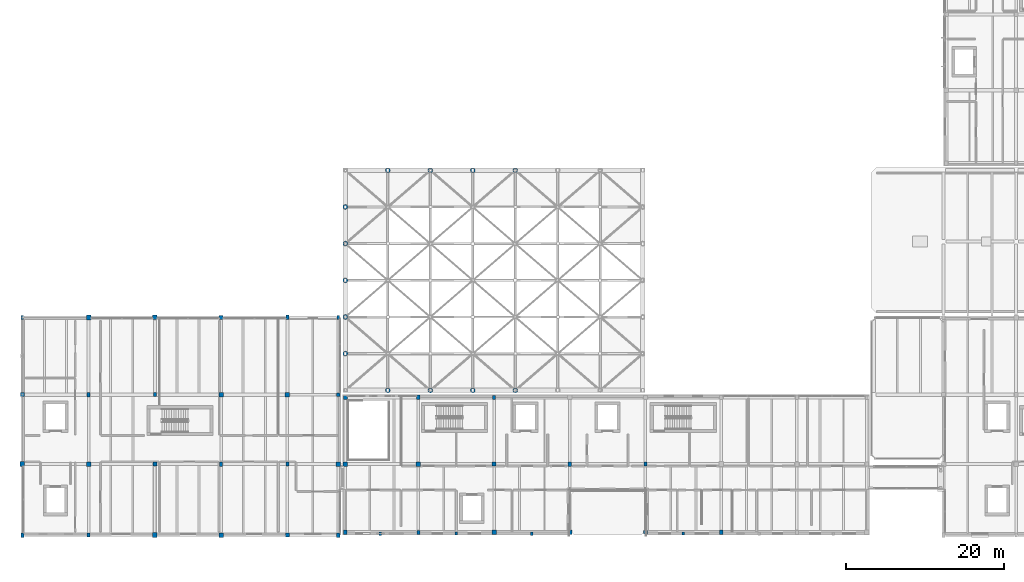
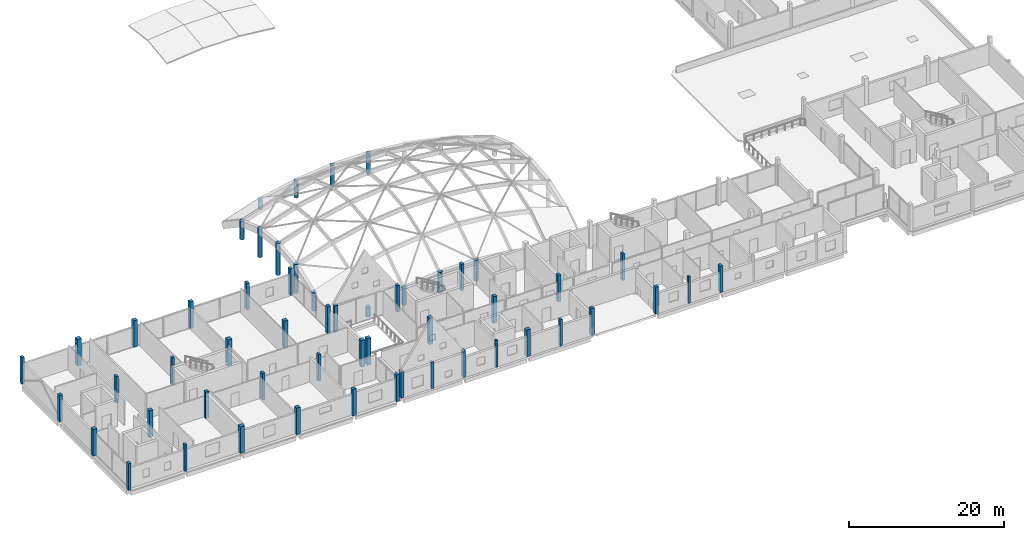
# One storey, part 1 of 41: 55 columns.
"""IFC4 building model written with IfcOpenShell, lengths in metres."""

from ifc_helpers import new_model, si_unit, direction, frame, origin, origin_2d, place, context, subcontext, project, spatial, rectangle, circle, extrude, material, material_profile, profile_set, type_object, element, save


model = new_model("IFC4")

# Units and contexts
model_context = context("Model", 3, precision=1e-05, world=origin(), true_north=direction((0.0, 1.0)))
body_context = subcontext(model_context, "Body", "Model", "MODEL_VIEW")
ifc_project = project(units=[si_unit("LENGTHUNIT", "METRE"), si_unit("AREAUNIT", "SQUARE_METRE"), si_unit("VOLUMEUNIT", "CUBIC_METRE"), si_unit("PLANEANGLEUNIT", "RADIAN"), si_unit("MASSUNIT", "GRAM", prefix="KILO")], contexts=[model_context])

# Site, building, storey
site_placement = place(None, origin())
site = spatial("IfcSite", under=ifc_project, at=site_placement, CompositionType="ELEMENT")
building_placement = place(site_placement, origin())
building = spatial("IfcBuilding", under=site, at=building_placement, Name="Birchvale Park Specialist Clinic", CompositionType="ELEMENT")
storey_placement = place(building_placement, frame((0.0, 0.0, 9.60009765625)))
storey = spatial("IfcBuildingStorey", under=building, at=storey_placement, Name="L02", CompositionType="ELEMENT", Elevation=9.60009765625)

# Columns
ifc_material = material(Name="Concrete C40/50", Category="concrete")
ifc_material_profile_1 = material_profile(ifc_material, rectangle(XDim=0.580078125, YDim=0.580078125, at=origin_2d()), Name="RC-580x580")
ifc_profile_set_1 = profile_set([ifc_material_profile_1], Name="Concrete C40/50")
column_type_1 = type_object("IfcColumnType", Name="COL-EXT-C03", PredefinedType="COLUMN", material=ifc_profile_set_1)
for number, where, z_axis, x_axis, name in (
    (1, (51.25, 25.800048828125, 0.0), (0.0, 0.0, 1.0), (1.0, 0.0, 0.0), "V2 L02 column 22"),
    (2, (52.14990234375, 25.800048828125, 0.0), (0.0, 0.0, 1.0), (1.0, 0.0, 0.0), "V4 L02 column 2"),
    (3, (71.0, 17.14990234375, 0.0), (0.0, 0.0, 1.0), (1.0, 0.0, 0.0), "V4 L02 column 7"),
):
    element("IfcColumn", number, at=place(storey_placement, frame(where, z_axis=z_axis, x_axis=x_axis)), inside=storey, type_object=column_type_1, Name=name, PredefinedType="COLUMN", context=body_context, shape_type="SweptSolid", body=[
        extrude(rectangle(XDim=0.580078125, YDim=0.580078125, at=origin_2d()), origin(), (0.0, 0.0, 1.0), 4.199951171875),
    ])
ifc_material_profile_2 = material_profile(ifc_material, rectangle(XDim=0.530029296875, YDim=0.530029296875, at=origin_2d()), Name="RC-530x530")
ifc_profile_set_2 = profile_set([ifc_material_profile_2], Name="Concrete C40/50")
column_type_2 = type_object("IfcColumnType", Name="COL-EXT-C04", PredefinedType="COLUMN", material=ifc_profile_set_2)
column_1_placement = place(storey_placement, frame((80.60009765625, 17.14990234375, 0.0), z_axis=(0.0, 0.0, 1.0), x_axis=(1.0, 0.0, 0.0)))
element("IfcColumn", 4, at=column_1_placement, inside=storey, type_object=column_type_2, Name="V4 L02 column 10", PredefinedType="COLUMN", context=body_context, shape_type="SweptSolid", body=[
    extrude(rectangle(XDim=0.530029296875, YDim=0.530029296875, at=origin_2d()), origin(), (0.0, 0.0, 1.0), 4.199951171875),
])
ifc_material_profile_3 = material_profile(ifc_material, rectangle(XDim=0.47998046875, YDim=0.47998046875, at=origin_2d()), Name="RC-480x480")
ifc_profile_set_3 = profile_set([ifc_material_profile_3], Name="Concrete C40/50")
column_type_3 = type_object("IfcColumnType", Name="COL-EXT-C05", PredefinedType="COLUMN", material=ifc_profile_set_3)
for number, where, z_axis, x_axis, name in (
    (5, (51.25, 34.60009765625, 0.0), (0.0, 0.0, 1.0), (1.0, 0.0, 0.0), "V2 L02 column 23"),
    (6, (52.14990234375, 34.25, 0.0), (0.0, 0.0, 1.0), (1.0, 0.0, 0.0), "V4 L02 column 3"),
    (7, (90.199951171875, 17.14990234375, 0.0), (0.0, 0.0, 1.0), (1.0, 0.0, 0.0), "V4 L02 column 13"),
):
    element("IfcColumn", number, at=place(storey_placement, frame(where, z_axis=z_axis, x_axis=x_axis)), inside=storey, type_object=column_type_3, Name=name, PredefinedType="COLUMN", context=body_context, shape_type="SweptSolid", body=[
        extrude(rectangle(XDim=0.47998046875, YDim=0.47998046875, at=origin_2d()), origin(), (0.0, 0.0, 1.0), 4.199951171875),
    ])
ifc_material_profile_4 = material_profile(ifc_material, rectangle(XDim=0.419921875, YDim=0.580078125, at=origin_2d()), Name="RC-420x580")
ifc_profile_set_4 = profile_set([ifc_material_profile_4], Name="Concrete C40/50")
column_type_4 = type_object("IfcColumnType", Name="COL-EXT-C10", PredefinedType="COLUMN", material=ifc_profile_set_4)
for number, where, z_axis, x_axis, name in (
    (8, (51.25, 16.800048828125, 0.0), (0.0, 0.0, 1.0), (1.0, 0.0, 0.0), "V2 L02 column 21"),
    (9, (52.14990234375, 17.14990234375, 0.0), (0.0, 0.0, 1.0), (1.0, 0.0, 0.0), "V4 L02 column 1"),
    (10, (61.39990234375, 34.25, 0.0), (0.0, 0.0, 1.0), (1.0, 0.0, 0.0), "V4 L02 column 6"),
    (11, (99.800048828125, 17.14990234375, 0.0), (0.0, 0.0, 1.0), (1.0, 0.0, 0.0), "V4 L02 column 16"),
):
    element("IfcColumn", number, at=place(storey_placement, frame(where, z_axis=z_axis, x_axis=x_axis)), inside=storey, type_object=column_type_4, Name=name, PredefinedType="COLUMN", context=body_context, shape_type="SweptSolid", body=[
        extrude(rectangle(XDim=0.419921875, YDim=0.580078125, at=origin_2d()), origin(), (0.0, 0.0, 1.0), 4.199951171875),
    ])
ifc_material_profile_5 = material_profile(ifc_material, rectangle(XDim=0.3701171875, YDim=0.52001953125, at=origin_2d()), Name="RC-370x520")
ifc_profile_set_5 = profile_set([ifc_material_profile_5], Name="Concrete C40/50")
column_type_5 = type_object("IfcColumnType", Name="COL-EXT-C11", PredefinedType="COLUMN", material=ifc_profile_set_5)
for number, where, z_axis, x_axis, name in (
    (12, (51.25, 44.39990234375, 0.0), (0.0, 0.0, 1.0), (1.0, 0.0, 0.0), "V2 L02 column 24"),
    (13, (61.39990234375, 17.14990234375, 0.0), (0.0, 0.0, 1.0), (1.0, 0.0, 0.0), "V4 L02 column 4"),
    (14, (71.0, 34.25, 0.0), (0.0, 0.0, 1.0), (1.0, 0.0, 0.0), "V4 L02 column 9"),
):
    element("IfcColumn", number, at=place(storey_placement, frame(where, z_axis=z_axis, x_axis=x_axis)), inside=storey, type_object=column_type_5, Name=name, PredefinedType="COLUMN", context=body_context, shape_type="SweptSolid", body=[
        extrude(rectangle(XDim=0.3701171875, YDim=0.52001953125, at=origin_2d()), origin(), (0.0, 0.0, 1.0), 4.199951171875),
    ])
ifc_material_profile_6 = material_profile(ifc_material, circle(Radius=0.31005859375, at=origin_2d()), Name="RCC-620")
ifc_profile_set_6 = profile_set([ifc_material_profile_6], Name="Concrete C40/50")
column_type_6 = type_object("IfcColumnType", Name="COL-EXT-CC1", PredefinedType="COLUMN", material=ifc_profile_set_6)
column_2_placement = place(storey_placement, frame((52.14990234375, 39.800048828125, 0.0), z_axis=(0.0, 0.0, 1.0), x_axis=(1.0, 0.0, 0.0)))
element("IfcColumn", 15, at=column_2_placement, inside=storey, type_object=column_type_6, Name="V1 gridshell perimeter arch support column 1", PredefinedType="COLUMN", context=body_context, shape_type="SweptSolid", body=[
    extrude(circle(Radius=0.31005859375, at=origin_2d()), origin(), (0.0, 0.0, 1.0), 2.925048828125),
])
column_3_placement = place(storey_placement, frame((52.14990234375, 44.449951171875, 0.0), z_axis=(0.0, 0.0, 1.0), x_axis=(1.0, 0.0, 0.0)))
element("IfcColumn", 16, at=column_3_placement, inside=storey, type_object=column_type_6, Name="V1 gridshell perimeter arch support column 2", PredefinedType="COLUMN", context=body_context, shape_type="SweptSolid", body=[
    extrude(circle(Radius=0.31005859375, at=origin_2d()), origin(), (0.0, 0.0, 1.0), 4.564697265625),
])
column_4_placement = place(storey_placement, frame((52.14990234375, 49.10009765625, 0.0), z_axis=(0.0, 0.0, 1.0), x_axis=(1.0, 0.0, 0.0)))
element("IfcColumn", 17, at=column_4_placement, inside=storey, type_object=column_type_6, Name="V1 gridshell perimeter arch support column 3", PredefinedType="COLUMN", context=body_context, shape_type="SweptSolid", body=[
    extrude(circle(Radius=0.31005859375, at=origin_2d()), origin(), (0.0, 0.0, 1.0), 5.0830078125),
])
column_5_placement = place(storey_placement, frame((52.14990234375, 53.75, 0.0), z_axis=(0.0, 0.0, 1.0), x_axis=(1.0, 0.0, 0.0)))
element("IfcColumn", 18, at=column_5_placement, inside=storey, type_object=column_type_6, Name="V1 gridshell perimeter arch support column 4", PredefinedType="COLUMN", context=body_context, shape_type="SweptSolid", body=[
    extrude(circle(Radius=0.31005859375, at=origin_2d()), origin(), (0.0, 0.0, 1.0), 4.564697265625),
])
column_6_placement = place(storey_placement, frame((52.14990234375, 58.39990234375, 0.0), z_axis=(0.0, 0.0, 1.0), x_axis=(1.0, 0.0, 0.0)))
element("IfcColumn", 19, at=column_6_placement, inside=storey, type_object=column_type_6, Name="V1 gridshell perimeter arch support column 5", PredefinedType="COLUMN", context=body_context, shape_type="SweptSolid", body=[
    extrude(circle(Radius=0.31005859375, at=origin_2d()), origin(), (0.0, 0.0, 1.0), 2.925048828125),
])
for number, where, z_axis, x_axis, name in (
    (20, (57.53564453125, 35.14990234375, 0.0), (0.0, 0.0, 1.0), (1.0, 0.0, 0.0), "V1 gridshell perimeter arch support column 6"),
    (21, (57.53564453125, 63.050048828125, 0.0), (0.0, 0.0, 1.0), (1.0, 0.0, 0.0), "V1 gridshell perimeter arch support column 7"),
):
    element("IfcColumn", number, at=place(storey_placement, frame(where, z_axis=z_axis, x_axis=x_axis)), inside=storey, type_object=column_type_6, Name=name, PredefinedType="COLUMN", context=body_context, shape_type="SweptSolid", body=[
        extrude(circle(Radius=0.31005859375, at=origin_2d()), origin(), (0.0, 0.0, 1.0), 1.58349609375),
    ])
for number, where, z_axis, x_axis, name in (
    (22, (62.92138671875, 35.14990234375, 0.0), (0.0, 0.0, 1.0), (1.0, 0.0, 0.0), "V1 gridshell perimeter arch support column 8"),
    (23, (62.92138671875, 63.050048828125, 0.0), (0.0, 0.0, 1.0), (1.0, 0.0, 0.0), "V1 gridshell perimeter arch support column 9"),
):
    element("IfcColumn", number, at=place(storey_placement, frame(where, z_axis=z_axis, x_axis=x_axis)), inside=storey, type_object=column_type_6, Name=name, PredefinedType="COLUMN", context=body_context, shape_type="SweptSolid", body=[
        extrude(circle(Radius=0.31005859375, at=origin_2d()), origin(), (0.0, 0.0, 1.0), 2.725341796875),
    ])
for number, where, z_axis, x_axis, name in (
    (24, (68.30712890625, 35.14990234375, 0.0), (0.0, 0.0, 1.0), (1.0, 0.0, 0.0), "V1 gridshell perimeter arch support column 10"),
    (25, (68.30712890625, 63.050048828125, 0.0), (0.0, 0.0, 1.0), (1.0, 0.0, 0.0), "V1 gridshell perimeter arch support column 11"),
    (26, (73.69287109375, 35.14990234375, 0.0), (0.0, 0.0, 1.0), (1.0, 0.0, 0.0), "V1 gridshell perimeter arch support column 12"),
    (27, (73.69287109375, 63.050048828125, 0.0), (0.0, 0.0, 1.0), (1.0, 0.0, 0.0), "V1 gridshell perimeter arch support column 13"),
):
    element("IfcColumn", number, at=place(storey_placement, frame(where, z_axis=z_axis, x_axis=x_axis)), inside=storey, type_object=column_type_6, Name=name, PredefinedType="COLUMN", context=body_context, shape_type="SweptSolid", body=[
        extrude(circle(Radius=0.31005859375, at=origin_2d()), origin(), (0.0, 0.0, 1.0), 3.287109375),
    ])
ifc_material_profile_7 = material_profile(ifc_material, rectangle(XDim=0.60009765625, YDim=0.60009765625, at=origin_2d()), Name="RC-600x600")
ifc_profile_set_7 = profile_set([ifc_material_profile_7], Name="Concrete C40/50")
column_type_7 = type_object("IfcColumnType", Name="COL-INT-C03", PredefinedType="COLUMN", material=ifc_profile_set_7)
for number, where, z_axis, x_axis, name in (
    (28, (11.199951171875, 25.800048828125, 0.0), (0.0, 0.0, 1.0), (1.0, 0.0, 0.0), "V2 L02 column 2"),
    (29, (19.60009765625, 44.39990234375, 0.0), (0.0, 0.0, 1.0), (1.0, 0.0, 0.0), "V2 L02 column 8"),
    (30, (28.0, 16.800048828125, 0.0), (0.0, 0.0, 1.0), (1.0, 0.0, 0.0), "V2 L02 column 9"),
    (31, (36.39990234375, 34.60009765625, 0.0), (0.0, 0.0, 1.0), (1.0, 0.0, 0.0), "V2 L02 column 15"),
):
    element("IfcColumn", number, at=place(storey_placement, frame(where, z_axis=z_axis, x_axis=x_axis)), inside=storey, type_object=column_type_7, Name=name, PredefinedType="COLUMN", context=body_context, shape_type="SweptSolid", body=[
        extrude(rectangle(XDim=0.60009765625, YDim=0.60009765625, at=origin_2d()), origin(), (0.0, 0.0, 1.0), 4.199951171875),
    ])
ifc_material_profile_8 = material_profile(ifc_material, rectangle(XDim=0.550048828125, YDim=0.550048828125, at=origin_2d()), Name="RC-550x550")
ifc_profile_set_8 = profile_set([ifc_material_profile_8], Name="Concrete C40/50")
column_type_8 = type_object("IfcColumnType", Name="COL-INT-C04", PredefinedType="COLUMN", material=ifc_profile_set_8)
for number, where, z_axis, x_axis, name in (
    (32, (19.60009765625, 25.800048828125, 0.0), (0.0, 0.0, 1.0), (1.0, 0.0, 0.0), "V2 L02 column 6"),
    (33, (28.0, 44.39990234375, 0.0), (0.0, 0.0, 1.0), (1.0, 0.0, 0.0), "V2 L02 column 12"),
    (34, (36.39990234375, 16.800048828125, 0.0), (0.0, 0.0, 1.0), (1.0, 0.0, 0.0), "V2 L02 column 13"),
    (35, (44.800048828125, 34.60009765625, 0.0), (0.0, 0.0, 1.0), (1.0, 0.0, 0.0), "V2 L02 column 19"),
    (36, (61.39990234375, 25.800048828125, 0.0), (0.0, 0.0, 1.0), (1.0, 0.0, 0.0), "V4 L02 column 5"),
):
    element("IfcColumn", number, at=place(storey_placement, frame(where, z_axis=z_axis, x_axis=x_axis)), inside=storey, type_object=column_type_8, Name=name, PredefinedType="COLUMN", context=body_context, shape_type="SweptSolid", body=[
        extrude(rectangle(XDim=0.550048828125, YDim=0.550048828125, at=origin_2d()), origin(), (0.0, 0.0, 1.0), 4.199951171875),
    ])
ifc_material_profile_9 = material_profile(ifc_material, rectangle(XDim=0.5, YDim=0.5, at=origin_2d()), Name="RC-500x500")
ifc_profile_set_9 = profile_set([ifc_material_profile_9], Name="Concrete C40/50")
column_type_9 = type_object("IfcColumnType", Name="COL-INT-C05", PredefinedType="COLUMN", material=ifc_profile_set_9)
for number, where, z_axis, x_axis, name in (
    (37, (11.199951171875, 34.60009765625, 0.0), (0.0, 0.0, 1.0), (1.0, 0.0, 0.0), "V2 L02 column 3"),
    (38, (28.0, 25.800048828125, 0.0), (0.0, 0.0, 1.0), (1.0, 0.0, 0.0), "V2 L02 column 10"),
    (39, (36.39990234375, 44.39990234375, 0.0), (0.0, 0.0, 1.0), (1.0, 0.0, 0.0), "V2 L02 column 16"),
    (40, (44.800048828125, 16.800048828125, 0.0), (0.0, 0.0, 1.0), (1.0, 0.0, 0.0), "V2 L02 column 17"),
    (41, (71.0, 25.800048828125, 0.0), (0.0, 0.0, 1.0), (1.0, 0.0, 0.0), "V4 L02 column 8"),
):
    element("IfcColumn", number, at=place(storey_placement, frame(where, z_axis=z_axis, x_axis=x_axis)), inside=storey, type_object=column_type_9, Name=name, PredefinedType="COLUMN", context=body_context, shape_type="SweptSolid", body=[
        extrude(rectangle(XDim=0.5, YDim=0.5, at=origin_2d()), origin(), (0.0, 0.0, 1.0), 4.199951171875),
    ])
ifc_material_profile_10 = material_profile(ifc_material, rectangle(XDim=0.39990234375, YDim=0.550048828125, at=origin_2d()), Name="RC-400x550")
ifc_profile_set_10 = profile_set([ifc_material_profile_10], Name="Concrete C40/50")
column_type_10 = type_object("IfcColumnType", Name="COL-INT-C10", PredefinedType="COLUMN", material=ifc_profile_set_10)
for number, where, z_axis, x_axis, name in (
    (42, (11.199951171875, 16.800048828125, 0.0), (0.0, 0.0, 1.0), (1.0, 0.0, 0.0), "V2 L02 column 1"),
    (43, (19.60009765625, 34.60009765625, 0.0), (0.0, 0.0, 1.0), (1.0, 0.0, 0.0), "V2 L02 column 7"),
    (44, (36.39990234375, 25.800048828125, 0.0), (0.0, 0.0, 1.0), (1.0, 0.0, 0.0), "V2 L02 column 14"),
    (45, (44.800048828125, 44.39990234375, 0.0), (0.0, 0.0, 1.0), (1.0, 0.0, 0.0), "V2 L02 column 20"),
    (46, (80.60009765625, 25.800048828125, 0.0), (0.0, 0.0, 1.0), (1.0, 0.0, 0.0), "V4 L02 column 11"),
):
    element("IfcColumn", number, at=place(storey_placement, frame(where, z_axis=z_axis, x_axis=x_axis)), inside=storey, type_object=column_type_10, Name=name, PredefinedType="COLUMN", context=body_context, shape_type="SweptSolid", body=[
        extrude(rectangle(XDim=0.39990234375, YDim=0.550048828125, at=origin_2d()), origin(), (0.0, 0.0, 1.0), 4.199951171875),
    ])
ifc_material_profile_11 = material_profile(ifc_material, rectangle(XDim=0.35009765625, YDim=0.5, at=origin_2d()), Name="RC-350x500")
ifc_profile_set_11 = profile_set([ifc_material_profile_11], Name="Concrete C40/50")
column_type_11 = type_object("IfcColumnType", Name="COL-INT-C11", PredefinedType="COLUMN", material=ifc_profile_set_11)
for number, where, z_axis, x_axis, name in (
    (47, (11.199951171875, 44.39990234375, 0.0), (0.0, 0.0, 1.0), (1.0, 0.0, 0.0), "V2 L02 column 4"),
    (48, (19.60009765625, 16.800048828125, 0.0), (0.0, 0.0, 1.0), (1.0, 0.0, 0.0), "V2 L02 column 5"),
    (49, (28.0, 34.60009765625, 0.0), (0.0, 0.0, 1.0), (1.0, 0.0, 0.0), "V2 L02 column 11"),
    (50, (44.800048828125, 25.800048828125, 0.0), (0.0, 0.0, 1.0), (1.0, 0.0, 0.0), "V2 L02 column 18"),
    (51, (90.199951171875, 25.800048828125, 0.0), (0.0, 0.0, 1.0), (1.0, 0.0, 0.0), "V4 L02 column 14"),
):
    element("IfcColumn", number, at=place(storey_placement, frame(where, z_axis=z_axis, x_axis=x_axis)), inside=storey, type_object=column_type_11, Name=name, PredefinedType="COLUMN", context=body_context, shape_type="SweptSolid", body=[
        extrude(rectangle(XDim=0.35009765625, YDim=0.5, at=origin_2d()), origin(), (0.0, 0.0, 1.0), 4.199951171875),
    ])
ifc_material_profile_12 = material_profile(ifc_material, rectangle(XDim=0.320068359375, YDim=0.43994140625, at=origin_2d()), Name="PIL-320x440")
ifc_profile_set_12 = profile_set([ifc_material_profile_12], Name="Concrete C40/50")
column_type_12 = type_object("IfcColumnType", Name="PIL-PL1", PredefinedType="PILASTER", material=ifc_profile_set_12)
for number, where, z_axis, x_axis, name in (
    (52, (56.60009765625, 16.969970703125, 0.0), (0.0, 0.0, 1.0), (1.0, 0.0, 0.0), "V4 L02 facade pilaster 3"),
    (53, (75.800048828125, 16.969970703125, 0.0), (0.0, 0.0, 1.0), (1.0, 0.0, 0.0), "V4 L02 facade pilaster 10"),
):
    element("IfcColumn", number, at=place(storey_placement, frame(where, z_axis=z_axis, x_axis=x_axis)), inside=storey, type_object=column_type_12, Name=name, PredefinedType="PILASTER", context=body_context, shape_type="SweptSolid", body=[
        extrude(rectangle(XDim=0.320068359375, YDim=0.43994140625, at=origin_2d()), origin(), (0.0, 0.0, 1.0), 4.199951171875),
    ])
ifc_material_profile_13 = material_profile(ifc_material, rectangle(XDim=0.280029296875, YDim=0.3798828125, at=origin_2d()), Name="PIL-280x380")
ifc_profile_set_13 = profile_set([ifc_material_profile_13], Name="Concrete C40/50")
column_type_13 = type_object("IfcColumnType", Name="PIL-PL2", PredefinedType="PILASTER", material=ifc_profile_set_13)
for number, where, z_axis, x_axis, name in (
    (54, (66.199951171875, 16.969970703125, 0.0), (0.0, 0.0, 1.0), (1.0, 0.0, 0.0), "V4 L02 facade pilaster 6"),
    (55, (95.0, 16.969970703125, 0.0), (0.0, 0.0, 1.0), (1.0, 0.0, 0.0), "V4 L02 facade pilaster 14"),
):
    element("IfcColumn", number, at=place(storey_placement, frame(where, z_axis=z_axis, x_axis=x_axis)), inside=storey, type_object=column_type_13, Name=name, PredefinedType="PILASTER", context=body_context, shape_type="SweptSolid", body=[
        extrude(rectangle(XDim=0.280029296875, YDim=0.3798828125, at=origin_2d()), origin(), (0.0, 0.0, 1.0), 4.199951171875),
    ])

save(model, "model.ifc")
